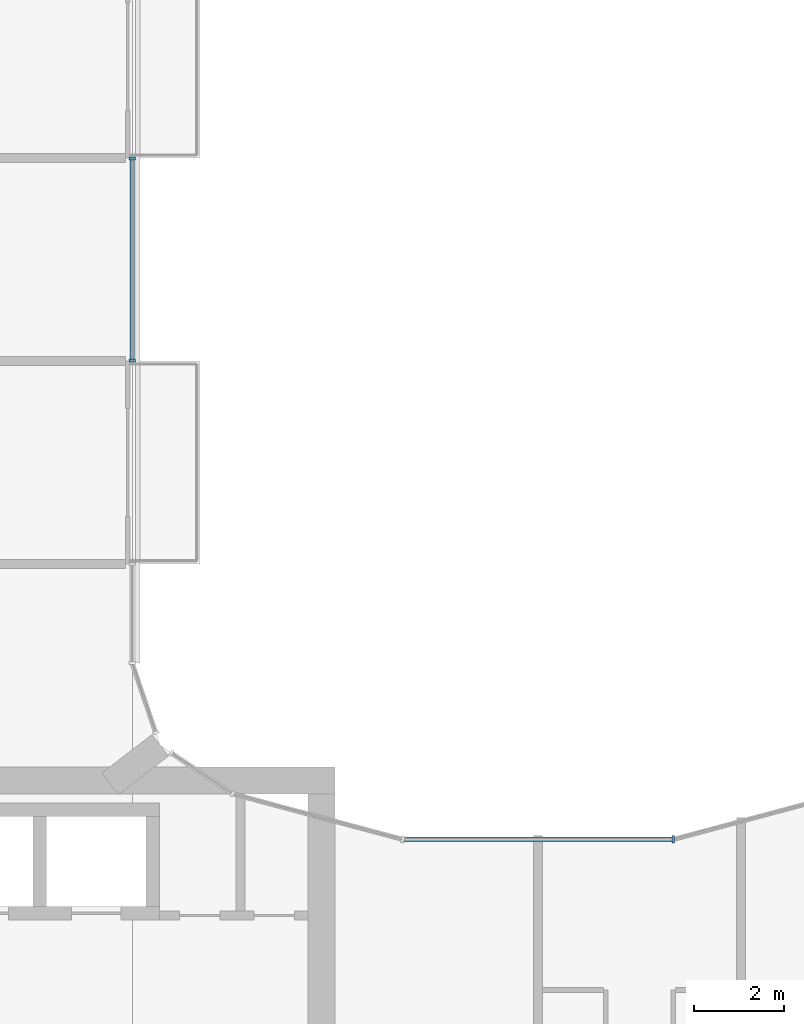
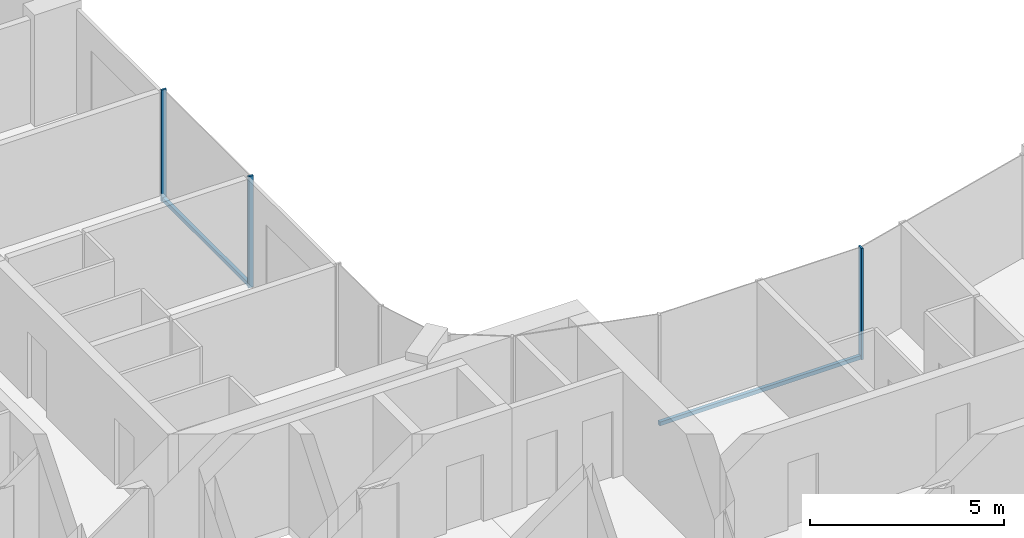
# One storey, part 5 of 15: 5 members, 2 elements without a shape of their own.
"""IFC4 building model written with IfcOpenShell, lengths in metres."""

from ifc_helpers import new_model, si_unit, direction, frame, origin, origin_2d, place, context, subcontext, project, spatial, rectangle, extrude, material, layer, layer_set, material_profile, profile_set, type_object, element, aggregate, save


model = new_model("IFC4")

# Units and contexts
model_context = context("Model", 3, precision=1e-05, world=origin(), true_north=direction((0.0, 1.0)))
body_context = subcontext(model_context, "Body", "Model", "MODEL_VIEW")
ifc_project = project(units=[si_unit("LENGTHUNIT", "METRE"), si_unit("AREAUNIT", "SQUARE_METRE"), si_unit("VOLUMEUNIT", "CUBIC_METRE"), si_unit("PLANEANGLEUNIT", "RADIAN"), si_unit("MASSUNIT", "GRAM", prefix="KILO")], contexts=[model_context])

# Site, building, storey
site_placement = place(None, origin())
site = spatial("IfcSite", under=ifc_project, at=site_placement, CompositionType="ELEMENT")
building_placement = place(site_placement, origin())
building = spatial("IfcBuilding", under=site, at=building_placement, Name="Plateau Cross Towers", CompositionType="ELEMENT")
storey_placement = place(building_placement, frame((0.0, 0.0, 170.89990234375)))
storey = spatial("IfcBuildingStorey", under=building, at=storey_placement, Name="L44", CompositionType="ELEMENT", Elevation=170.89990234375)

# Curtain wall, members
ifc_material_1 = material(Name="Dark low-iron glass", Category="glass")
ifc_layer_1 = layer(ifc_material_1, 0.239990234375)
ifc_layer_set_1 = layer_set([ifc_layer_1], Name="Dark low-iron glass")
curtain_wall_type_1 = type_object("IfcCurtainWallType", Name="Curtain wall flush unitised CW-B", PredefinedType="NOTDEFINED", material=ifc_layer_set_1)
curtain_wall_1_placement = place(storey_placement, origin())
curtain_wall_1 = element("IfcCurtainWall", 1, at=curtain_wall_1_placement, inside=storey, type_object=curtain_wall_type_1, Name="ENV/A/L44/A180_270", PredefinedType="NOTDEFINED")
ifc_material_2 = material(Name="Black anodised aluminium", Category="aluminium")
ifc_material_profile_1 = material_profile(ifc_material_2, rectangle(XDim=0.06005859375, YDim=0.139892578125, at=origin_2d()), Name="MULLION 60x140")
ifc_profile_set_1 = profile_set([ifc_material_profile_1], Name="Black anodised aluminium")
member_type_1 = type_object("IfcMemberType", Name="Mullion 60x140 flush unitised", PredefinedType="MULLION", material=ifc_profile_set_1)
member_1_placement = place(storey_placement, frame((18.0, 27.010009765625, -0.25), z_axis=(0.0, 0.0, 1.0), x_axis=(0.0, 1.0, 0.0)))
member_1 = element("IfcMember", 2, at=member_1_placement, type_object=member_type_1, Name="CW-B mullion 1", PredefinedType="MULLION", context=body_context, shape_type="SweptSolid", body=[
    extrude(rectangle(XDim=0.06005859375, YDim=0.139892578125, at=origin_2d()), origin(), (0.0, 0.0, 1.0), 3.5),
])
member_2_placement = place(storey_placement, frame((18.0, 31.489990234375, -0.25), z_axis=(0.0, 0.0, 1.0), x_axis=(0.0, 1.0, 0.0)))
member_2 = element("IfcMember", 3, at=member_2_placement, type_object=member_type_1, Name="CW-B mullion 2", PredefinedType="MULLION", context=body_context, shape_type="SweptSolid", body=[
    extrude(rectangle(XDim=0.06005859375, YDim=0.139892578125, at=origin_2d()), origin(), (0.0, 0.0, 1.0), 3.5),
])

# Curtain wall, member
ifc_layer_2 = layer(ifc_material_1, 0.260009765625)
ifc_layer_set_2 = layer_set([ifc_layer_2], Name="Dark low-iron glass")
curtain_wall_type_2 = type_object("IfcCurtainWallType", Name="Curtain wall fluted unitised CW-A", PredefinedType="NOTDEFINED", material=ifc_layer_set_2)
curtain_wall_2_placement = place(storey_placement, origin())
curtain_wall_2 = element("IfcCurtainWall", 4, at=curtain_wall_2_placement, inside=storey, type_object=curtain_wall_type_2, Name="ENV/A/L44/A300_164", PredefinedType="NOTDEFINED")
ifc_material_profile_2 = material_profile(ifc_material_2, rectangle(XDim=0.06005859375, YDim=0.159912109375, at=origin_2d()), Name="MULLION 60x160")
ifc_profile_set_2 = profile_set([ifc_material_profile_2], Name="Black anodised aluminium")
member_type_2 = type_object("IfcMemberType", Name="Mullion 60x160 fluted unitised", PredefinedType="MULLION", material=ifc_profile_set_2)
member_3_placement = place(storey_placement, frame((30.0, 16.39306640625, -0.25), z_axis=(0.0, 0.0, 1.0), x_axis=(-1.0, 0.0, 0.0)))
member_3 = element("IfcMember", 5, at=member_3_placement, type_object=member_type_2, Name="CW-A mullion 1", PredefinedType="MULLION", context=body_context, shape_type="SweptSolid", body=[
    extrude(rectangle(XDim=0.06005859375, YDim=0.159912109375, at=origin_2d()), origin(), (0.0, 0.0, 1.0), 3.5),
])

# Member
ifc_material_profile_3 = material_profile(ifc_material_2, rectangle(XDim=0.10009765625, YDim=0.1201171875, at=origin_2d()), Name="TRANSOM 100x120")
ifc_profile_set_3 = profile_set([ifc_material_profile_3], Name="Black anodised aluminium")
member_type_3 = type_object("IfcMemberType", Name="Transom 100x120 flush unitised", PredefinedType="USERDEFINED", material=ifc_profile_set_3)
member_4_placement = place(storey_placement, frame((18.0, 27.010009765625, -0.18994140625), z_axis=(0.0, 1.0, 0.0), x_axis=(-1.0, 0.0, 0.0)))
member_4 = element("IfcMember", 6, at=member_4_placement, type_object=member_type_3, Name="CW-B transom", ObjectType="TRANSOM", PredefinedType="USERDEFINED", context=body_context, shape_type="SweptSolid", body=[
    extrude(rectangle(XDim=0.10009765625, YDim=0.1201171875, at=origin_2d()), origin(), (0.0, 0.0, 1.0), 4.47998046875),
])

aggregate(curtain_wall_1, [member_1, member_2, member_4])

ifc_material_profile_4 = material_profile(ifc_material_2, rectangle(XDim=0.10009765625, YDim=0.1201171875, at=origin_2d()), Name="TRANSOM 100x120")
ifc_profile_set_4 = profile_set([ifc_material_profile_4], Name="Black anodised aluminium")
member_type_4 = type_object("IfcMemberType", Name="Transom 100x120 fluted unitised", PredefinedType="USERDEFINED", material=ifc_profile_set_4)
member_5_placement = place(storey_placement, frame((30.0, 16.39306640625, -0.18994140625), z_axis=(-1.0, 0.0, 0.0), x_axis=(0.0, -1.0, 0.0)))
member_5 = element("IfcMember", 7, at=member_5_placement, type_object=member_type_4, Name="CW-A transom", ObjectType="TRANSOM", PredefinedType="USERDEFINED", context=body_context, shape_type="SweptSolid", body=[
    extrude(rectangle(XDim=0.10009765625, YDim=0.1201171875, at=origin_2d()), origin(), (0.0, 0.0, 1.0), 6.0),
])

aggregate(curtain_wall_2, [member_3, member_5])

save(model, "model.ifc")
